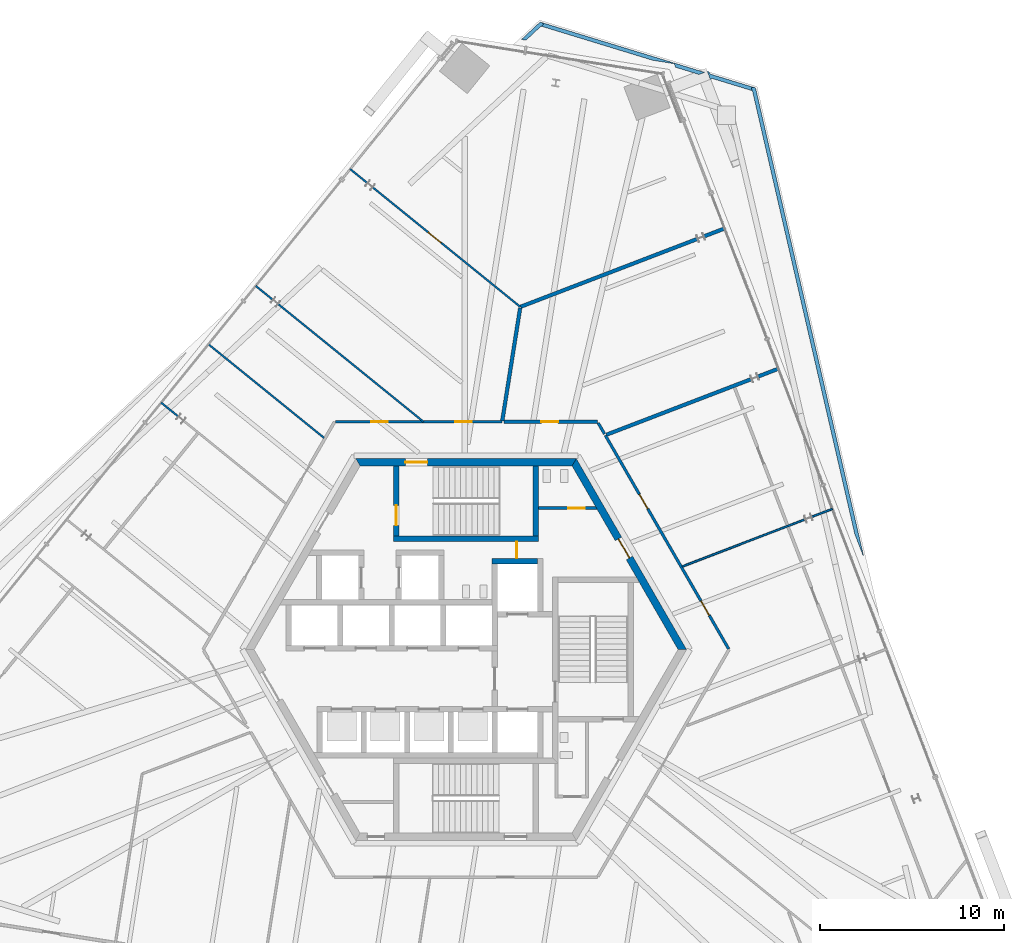
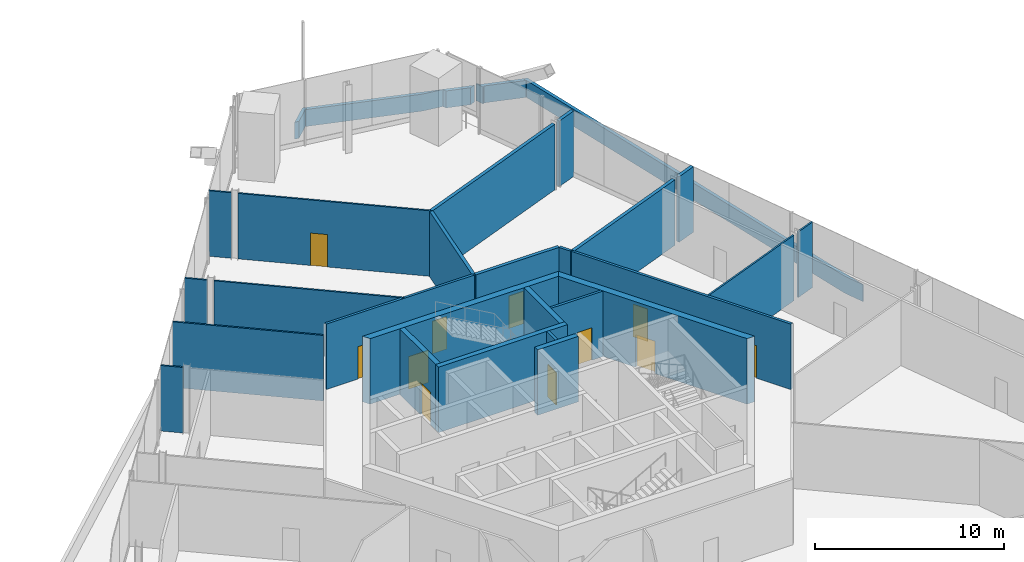
# One storey, part 16 of 22: 29 walls, 11 doors, 11 openings.
"""IFC4 building model written with IfcOpenShell, lengths in metres."""

import ifcopenshell
import ifcopenshell.guid

model = None  # the IFC model being written
_history = None  # IfcOwnerHistory: only IFC2X3 demands one
_inside = {}  # id of a spatial element -> (the spatial element, [elements in it])
_under = {}  # id of a project, library or spatial element -> (it, [spatial elements below it])
_declared = {}  # id of a project -> (the project, [libraries it declares])
_typed = {}  # id of a type object -> (the type object, [elements of that type])
_made_of = {}  # id of a material, layer set ... -> (it, [elements and type objects made of it])


def new_model(schema):
    """Start an empty IFC model of exactly this schema.

    Asked for "IFC4X3", IfcOpenShell would pick the latest addendum, in which some entities
    have other attributes; the version numbers below select the first issue.
    IFC2X3 requires an IfcOwnerHistory on every rooted entity: one is made here for all.
    """
    global model, _history
    if schema == "IFC4X3":
        model = ifcopenshell.file(schema_version=(4, 3, 0, 0))
    else:
        model = ifcopenshell.file(schema=schema)
    _inside.clear()
    _under.clear()
    _declared.clear()
    _typed.clear()
    _made_of.clear()
    _history = None
    if model.schema == "IFC2X3":
        org = make("IfcOrganization", Name="unknown")
        user = make(
            "IfcPersonAndOrganization",
            ThePerson=make("IfcPerson", FamilyName="unknown"),
            TheOrganization=org,
        )
        app = make(
            "IfcApplication",
            ApplicationDeveloper=org,
            Version="unknown",
            ApplicationFullName="unknown",
            ApplicationIdentifier="unknown",
        )
        _history = make(
            "IfcOwnerHistory",
            OwningUser=user,
            OwningApplication=app,
            ChangeAction="ADDED",
            CreationDate=0,
        )
    return model


def make(cls, **values):
    """One entity of the class cls with the attributes given. An attribute that is None is left unset."""
    return model.create_entity(
        cls, **{name: value for name, value in values.items() if value is not None}
    )


def rooted(cls, **values):
    """An entity with a GlobalId (a new one), such as an element, a storey or a relation."""
    return make(cls, GlobalId=ifcopenshell.guid.new(), OwnerHistory=_history, **values)


def si_unit(unit_type, name, prefix=None):
    """IfcSIUnit, for example si_unit("LENGTHUNIT", "METRE", prefix="MILLI")."""
    return make("IfcSIUnit", UnitType=unit_type, Prefix=prefix, Name=name)


def assignment(units):
    """IfcUnitAssignment: the units of a project."""
    return None if units is None else make("IfcUnitAssignment", Units=units)


def point(xyz):
    """IfcCartesianPoint."""
    return None if xyz is None else make("IfcCartesianPoint", Coordinates=xyz)


def direction(xyz):
    """IfcDirection."""
    return None if xyz is None else make("IfcDirection", DirectionRatios=xyz)


def frame(location, z_axis=None, x_axis=None):
    """IfcAxis2Placement3D, a coordinate frame: its origin and axes. An axis left out is left unset."""
    return make(
        "IfcAxis2Placement3D",
        Location=point(location),
        Axis=direction(z_axis),
        RefDirection=direction(x_axis),
    )


def frame_2d(location, x_axis=None):
    """IfcAxis2Placement2D, a coordinate frame in the plane: its origin and x axis."""
    return make(
        "IfcAxis2Placement2D", Location=point(location), RefDirection=direction(x_axis)
    )


def origin():
    """The frame at (0, 0, 0) with its axes left unset."""
    return frame((0.0, 0.0, 0.0))


def place(relative_to, where):
    """IfcLocalPlacement: puts the frame where relative to a parent placement (None: the world)."""
    return make(
        "IfcLocalPlacement", PlacementRelTo=relative_to, RelativePlacement=where
    )


def context(
    kind, dimensions, precision=None, world=None, true_north=None, identifier=None
):
    """IfcGeometricRepresentationContext, for example the 3D "Model" context."""
    return make(
        "IfcGeometricRepresentationContext",
        ContextIdentifier=identifier,
        ContextType=kind,
        CoordinateSpaceDimension=dimensions,
        Precision=precision,
        WorldCoordinateSystem=world,
        TrueNorth=true_north,
    )


def subcontext(parent, identifier, kind, view, scale=None):
    """IfcGeometricRepresentationSubContext, for example "Body" below "Model"."""
    return make(
        "IfcGeometricRepresentationSubContext",
        ContextIdentifier=identifier,
        ContextType=kind,
        ParentContext=parent,
        TargetScale=scale,
        TargetView=view,
    )


def project(units=None, contexts=None):
    """IfcProject with its units and contexts."""
    return rooted(
        "IfcProject",
        Name="project",
        RepresentationContexts=contexts,
        UnitsInContext=assignment(units),
    )


def spatial(cls, under=None, at=None, **own):
    """A site, building, storey or space (cls), placed at a placement, below another one or the project."""
    s = rooted(cls, ObjectPlacement=at, **own)
    if under is not None:
        _under.setdefault(under.id(), (under, []))[1].append(s)
    return s


def polyline(points):
    """IfcPolyline through the points."""
    return make("IfcPolyline", Points=[point(p) for p in points])


def profile(cls, at=None, kind="AREA", **sizes):
    """A parametric profile (cls). Its sizes go by their IFC names, for example OverallWidth=200.0."""
    return make(cls, ProfileType=kind, Position=at, **sizes)


def rectangle(**sizes):
    """IfcRectangleProfileDef."""
    return profile("IfcRectangleProfileDef", **sizes)


def outline(outer, holes=None, kind="AREA"):
    """IfcArbitraryClosedProfileDef: a profile drawn as a closed curve; with holes, ...WithVoids."""
    if holes is None:
        return make("IfcArbitraryClosedProfileDef", ProfileType=kind, OuterCurve=outer)
    return make(
        "IfcArbitraryProfileDefWithVoids",
        ProfileType=kind,
        OuterCurve=outer,
        InnerCurves=holes,
    )


def extrude(swept, where, along, depth):
    """IfcExtrudedAreaSolid: the profile swept, set in the frame where, extruded along a direction by depth."""
    return make(
        "IfcExtrudedAreaSolid",
        SweptArea=swept,
        Position=where,
        ExtrudedDirection=direction(along),
        Depth=depth,
    )


def shape(context_of_items, identifier, shape_type, items):
    """IfcShapeRepresentation: the items that make up one representation, for example the "Body"."""
    return make(
        "IfcShapeRepresentation",
        ContextOfItems=context_of_items,
        RepresentationIdentifier=identifier,
        RepresentationType=shape_type,
        Items=items,
    )


def source(mapping_origin, context_of_items, identifier, shape_type, items):
    """IfcRepresentationMap: a shape defined once, which mapped items show again and again."""
    return make(
        "IfcRepresentationMap",
        MappingOrigin=mapping_origin,
        MappedRepresentation=shape(context_of_items, identifier, shape_type, items),
    )


def transform(
    local_origin,
    x_axis=None,
    y_axis=None,
    z_axis=None,
    scale=None,
    scale2=None,
    scale3=None,
    uniform=True,
):
    """IfcCartesianTransformationOperator3D, or its non-uniform kind. x_axis, y_axis, z_axis: its Axis1, 2, 3."""
    if uniform:
        return make(
            "IfcCartesianTransformationOperator3D",
            Axis1=direction(x_axis),
            Axis2=direction(y_axis),
            LocalOrigin=point(local_origin),
            Scale=scale,
            Axis3=direction(z_axis),
        )
    return make(
        "IfcCartesianTransformationOperator3DnonUniform",
        Axis1=direction(x_axis),
        Axis2=direction(y_axis),
        LocalOrigin=point(local_origin),
        Scale=scale,
        Axis3=direction(z_axis),
        Scale2=scale2,
        Scale3=scale3,
    )


def mapped(mapping_source, mapping_target):
    """IfcMappedItem: shows the shape of a source again, moved by a transform."""
    return make(
        "IfcMappedItem", MappingSource=mapping_source, MappingTarget=mapping_target
    )


def material(Name=None, Category=None):
    """IfcMaterial."""
    return make("IfcMaterial", Name=Name, Category=Category)


def layer(
    of_material, thickness, ventilated=None, Name=None, Category=None, Priority=None
):
    """IfcMaterialLayer: one layer of a wall or slab, of a material (None: an air gap)."""
    return make(
        "IfcMaterialLayer",
        Material=of_material,
        LayerThickness=thickness,
        IsVentilated=ventilated,
        Name=Name,
        Category=Category,
        Priority=Priority,
    )


def layer_set(layers, Name=None):
    """IfcMaterialLayerSet."""
    return make("IfcMaterialLayerSet", MaterialLayers=layers, LayerSetName=Name)


def made_of(thing, what):
    """Note that an element or type object is made of a material, layer set ...; save() writes the relation."""
    if what is not None:
        _made_of.setdefault(what.id(), (what, []))[1].append(thing)
    return thing


def type_object(cls, material=None, **own):
    """A type object (cls), such as IfcWallType, which elements share."""
    return made_of(rooted(cls, **own), material)


def element(
    cls,
    number,
    at=None,
    inside=None,
    cuts=None,
    type_object=None,
    material=None,
    context=None,
    identifier="Body",
    shape_type=None,
    held_by="IfcProductDefinitionShape",
    body=None,
    shapes=None,
    **own,
):
    """One element of the class cls, such as IfcWall. Its Tag is "e" and its number.

    at: its placement. inside: the storey or other place that contains it. cuts: it is an
    opening in that element (IfcRelVoidsElement). A single representation is given by context,
    identifier, shape_type and body (its items); several are given by shapes. held_by: the class
    of the entity that holds the representations. save() writes the other relations.
    """
    e = rooted(cls, Tag="e%d" % number, ObjectPlacement=at, **own)
    if body is not None:
        shapes = [shape(context, identifier, shape_type, body)]
    if shapes is not None:
        e.Representation = make(held_by, Representations=shapes)
    if inside is not None:
        _inside.setdefault(inside.id(), (inside, []))[1].append(e)
    if cuts is not None:
        rooted(
            "IfcRelVoidsElement", RelatingBuildingElement=cuts, RelatedOpeningElement=e
        )
    if type_object is not None:
        _typed.setdefault(type_object.id(), (type_object, []))[1].append(e)
    return made_of(e, material)


def fill(opening, filler):
    """IfcRelFillsElement: the door or window that sits in an opening."""
    return rooted(
        "IfcRelFillsElement",
        RelatingOpeningElement=opening,
        RelatedBuildingElement=filler,
    )


def aggregate(whole, parts):
    """IfcRelAggregates: a whole, such as a stair, and the parts it consists of."""
    return rooted("IfcRelAggregates", RelatingObject=whole, RelatedObjects=parts)


def save(model, path):
    """Write the relations noted so far, then the file.

    IfcRelAggregates (storeys below a building ...), IfcRelContainedInSpatialStructure (elements
    in a storey), IfcRelDefinesByType, IfcRelAssociatesMaterial and IfcRelDeclares: one each for
    every whole, place, type object, material and project.
    """
    for whole, parts in _under.values():
        aggregate(whole, parts)
    for where, things in _inside.values():
        rooted(
            "IfcRelContainedInSpatialStructure",
            RelatedElements=things,
            RelatingStructure=where,
        )
    for kind, things in _typed.values():
        rooted("IfcRelDefinesByType", RelatedObjects=things, RelatingType=kind)
    for what, things in _made_of.values():
        rooted("IfcRelAssociatesMaterial", RelatedObjects=things, RelatingMaterial=what)
    for by, libraries in _declared.values():
        rooted("IfcRelDeclares", RelatingContext=by, RelatedDefinitions=libraries)
    model.write(path)


model = new_model("IFC4")

# Units and contexts
model_context = context("Model", 3, precision=1e-05, world=origin(), true_north=direction((0.0, 1.0)))
body_context = subcontext(model_context, "Body", "Model", "MODEL_VIEW")
ifc_project = project(units=[si_unit("LENGTHUNIT", "METRE"), si_unit("AREAUNIT", "SQUARE_METRE"), si_unit("VOLUMEUNIT", "CUBIC_METRE"), si_unit("PLANEANGLEUNIT", "RADIAN"), si_unit("MASSUNIT", "GRAM", prefix="KILO")], contexts=[model_context])

# Site, building, storey
site_placement = place(None, origin())
site = spatial("IfcSite", under=ifc_project, at=site_placement, CompositionType="ELEMENT")
building_placement = place(site_placement, origin())
building = spatial("IfcBuilding", under=site, at=building_placement, Name="Triune Harvest Tower", CompositionType="ELEMENT")
storey_placement = place(building_placement, frame((0.0, 0.0, 138.10009765625)))
storey = spatial("IfcBuildingStorey", under=building, at=storey_placement, Name="L35", CompositionType="ELEMENT", Elevation=138.10009765625)

# Wall, opening, door
ifc_material_1 = material(Name="Concrete masonry unit", Category="masonry")
ifc_layer_1 = layer(ifc_material_1, 0.14990234375)
ifc_layer_set_1 = layer_set([ifc_layer_1], Name="Concrete masonry unit")
wall_type_1 = type_object("IfcWallType", Name="Block partition 150 unrated", PredefinedType="PARTITIONING", material=ifc_layer_set_1)
wall_1_placement = place(storey_placement, frame((3.949951171875, 7.699951171875, 0.0), z_axis=(0.0, 0.0, 1.0), x_axis=(1.0, 0.0, 0.0)))
wall_1 = element("IfcWall", 1, at=wall_1_placement, inside=storey, type_object=wall_type_1, Name="Wc women south wall", PredefinedType="PARTITIONING", context=body_context, shape_type="SweptSolid", body=[
    extrude(outline(polyline([(0.0, -0.074951171875), (0.0, 0.074951171875), (3.1015625, 0.074951171875), (3.18798828125, -0.074951171875), (0.0, -0.074951171875)])), origin(), (0.0, 0.0, 1.0), 4.239990234375),
])
opening_1_placement = place(wall_1_placement, frame((1.60009765625, 0.0, 0.0)))
opening_1 = element("IfcOpeningElement", 2, at=opening_1_placement, cuts=wall_1, Name="Opening CD-WW", PredefinedType="OPENING", context=body_context, shape_type="SweptSolid", body=[
    extrude(rectangle(XDim=0.89990234375, YDim=2.10009765625, at=frame_2d((0.449951171875, 1.050048828125))), frame((0.0, 0.0849609375, 0.0), z_axis=(0.0, -1.0, 0.0), x_axis=(1.0, 0.0, 0.0)), (0.0, 0.0, 1.0), 0.169921875),
])
ifc_material_2 = material(Name="Timber C24", Category="wood")
door_type_1 = type_object("IfcDoorType", Name="WC door 900", OperationType="SINGLE_SWING_LEFT", PredefinedType="DOOR", material=ifc_material_2)
door_1_placement = place(opening_1_placement, origin())
door_1 = element("IfcDoor", 3, at=door_1_placement, inside=storey, type_object=door_type_1, Name="Door CD-WW", OperationType="SINGLE_SWING_LEFT", OverallHeight=2.10009765625, OverallWidth=0.89990234375, PredefinedType="DOOR", context=body_context, shape_type="SweptSolid", body=[
    extrude(rectangle(XDim=0.89990234375, YDim=2.10009765625, at=frame_2d((0.449951171875, 1.050048828125))), frame((0.0, 0.02490234375, 0.0), z_axis=(0.0, -1.0, 0.0), x_axis=(1.0, 0.0, 0.0)), (0.0, 0.0, 1.0), 0.050048828125),
])
fill(opening_1, door_1)

wall_2_placement = place(storey_placement, frame((2.75, 4.9599609375, 0.0), z_axis=(0.0, 0.0, 1.0), x_axis=(0.0, 1.0, 0.0)))
wall_2 = element("IfcWall", 4, at=wall_2_placement, inside=storey, type_object=wall_type_1, Name="Wc men east b wall", PredefinedType="PARTITIONING", context=body_context, shape_type="SweptSolid", body=[
    extrude(rectangle(XDim=0.929931640625, YDim=0.14990234375, at=frame_2d((0.46484375, 0.0))), origin(), (0.0, 0.0, 1.0), 4.239990234375),
])
opening_2_placement = place(wall_2_placement, frame((0.014892578125, 0.0, 0.0)))
opening_2 = element("IfcOpeningElement", 5, at=opening_2_placement, cuts=wall_2, Name="Opening CD-WM", PredefinedType="OPENING", context=body_context, shape_type="SweptSolid", body=[
    extrude(rectangle(XDim=0.89990234375, YDim=2.10009765625, at=frame_2d((0.449951171875, 1.050048828125))), frame((0.0, 0.0849609375, 0.0), z_axis=(0.0, -1.0, 0.0), x_axis=(1.0, 0.0, 0.0)), (0.0, 0.0, 1.0), 0.169921875),
])
door_2_placement = place(opening_2_placement, origin())
door_2 = element("IfcDoor", 6, at=door_2_placement, inside=storey, type_object=door_type_1, Name="Door CD-WM", OperationType="SINGLE_SWING_LEFT", OverallHeight=2.10009765625, OverallWidth=0.89990234375, PredefinedType="DOOR", context=body_context, shape_type="SweptSolid", body=[
    extrude(rectangle(XDim=0.89990234375, YDim=2.10009765625, at=frame_2d((0.449951171875, 1.050048828125))), frame((0.0, 0.02490234375, 0.0), z_axis=(0.0, -1.0, 0.0), x_axis=(1.0, 0.0, 0.0)), (0.0, 0.0, 1.0), 0.050048828125),
])
fill(opening_2, door_2)

# Walls
ifc_material_3 = material(Name="Concrete 70 MPa", Category="concrete")
ifc_layer_2 = layer(ifc_material_3, 0.300048828125)
ifc_layer_set_2 = layer_set([ifc_layer_2], Name="Concrete 70 MPa")
wall_type_2 = type_object("IfcWallType", Name="Core wall 300", PredefinedType="SHEAR", material=ifc_layer_set_2)
wall_3_placement = place(storey_placement, frame((-3.949951171875, 6.0400390625, 0.0), z_axis=(0.0, 0.0, 1.0), x_axis=(1.0, 0.0, 0.0)))
element("IfcWall", 7, at=wall_3_placement, inside=storey, type_object=wall_type_2, Name="Stair n south wall", PredefinedType="SHEAR", context=body_context, shape_type="SweptSolid", body=[
    extrude(rectangle(XDim=7.89990234375, YDim=0.300048828125, at=frame_2d((3.949951171875, 0.0))), origin(), (0.0, 0.0, 1.0), 4.239990234375),
])
ifc_material_4 = material(Name="Gypsum board on steel studs", Category="steel")
ifc_layer_3 = layer(ifc_material_4, 0.14990234375)
ifc_layer_set_3 = layer_set([ifc_layer_3], Name="Gypsum board on steel studs")
wall_type_3 = type_object("IfcWallType", Name="Fire Partition 150 mm", PredefinedType="PARTITIONING", material=ifc_layer_set_3)
wall_4_placement = place(storey_placement, frame((7.18994140625, 12.331298828125, 0.0), z_axis=(0.0, 0.0, 1.0), x_axis=(0.499925626596, -0.866068339032, 0.0)))
element("IfcWall", 8, at=wall_4_placement, inside=storey, type_object=wall_type_3, Name="Partition L35 007", PredefinedType="PARTITIONING", context=body_context, shape_type="SweptSolid", body=[
    extrude(rectangle(XDim=0.693359375, YDim=0.14990234375, at=frame_2d((0.3466796875, 0.0))), origin(), (0.0, 0.0, 1.0), 4.239990234375),
])

# Wall, openings, doors
wall_5_placement = place(storey_placement, frame((7.57666015625, 11.66162109375, 0.0), z_axis=(0.0, 0.0, 1.0), x_axis=(0.50001156732, -0.866018725286, 0.0)))
wall_5 = element("IfcWall", 9, at=wall_5_placement, inside=storey, type_object=wall_type_3, Name="Partition L35 008", PredefinedType="PARTITIONING", context=body_context, shape_type="SweptSolid", body=[
    extrude(rectangle(XDim=13.425537109375, YDim=0.14990234375, at=frame_2d((6.712890625, 0.0))), origin(), (0.0, 0.0, 1.0), 4.239990234375),
])
opening_3_placement = place(wall_5_placement, frame((10.41552734375, 0.0, 0.0)))
opening_3 = element("IfcOpeningElement", 10, at=opening_3_placement, cuts=wall_5, Name="Opening L35-004", PredefinedType="OPENING", context=body_context, shape_type="SweptSolid", body=[
    extrude(rectangle(XDim=0.89990234375, YDim=2.10009765625, at=frame_2d((0.449951171875, 1.050048828125))), frame((0.0, 0.0849609375, 0.0), z_axis=(0.0, -1.0, 0.0), x_axis=(1.0, 0.0, 0.0)), (0.0, 0.0, 1.0), 0.169921875),
])
opening_4_placement = place(wall_5_placement, frame((3.723388671875, 0.0, 0.0)))
opening_4 = element("IfcOpeningElement", 11, at=opening_4_placement, cuts=wall_5, Name="Opening L35-006", PredefinedType="OPENING", context=body_context, shape_type="SweptSolid", body=[
    extrude(rectangle(XDim=0.89990234375, YDim=2.10009765625, at=frame_2d((0.449951171875, 1.050048828125))), frame((0.0, 0.0849609375, 0.0), z_axis=(0.0, -1.0, 0.0), x_axis=(1.0, 0.0, 0.0)), (0.0, 0.0, 1.0), 0.169921875),
])
ifc_material_5 = material(Name="Timber and steel door set", Category="steel")
door_type_2 = type_object("IfcDoorType", Name="Single leaf door FD30 left hand 900 x 2100", OperationType="SINGLE_SWING_LEFT", PredefinedType="DOOR", material=ifc_material_5)
door_3_placement = place(opening_4_placement, origin())
door_3 = element("IfcDoor", 12, at=door_3_placement, inside=storey, type_object=door_type_2, Name="Door L35-006 Market Stall 35.06", OperationType="SINGLE_SWING_LEFT", OverallHeight=2.10009765625, OverallWidth=0.89990234375, PredefinedType="DOOR", context=body_context, shape_type="SweptSolid", body=[
    extrude(rectangle(XDim=0.89990234375, YDim=2.10009765625, at=frame_2d((0.449951171875, 1.050048828125))), frame((0.0, 0.02490234375, 0.0), z_axis=(0.0, -1.0, 0.0), x_axis=(1.0, 0.0, 0.0)), (0.0, 0.0, 1.0), 0.050048828125),
])
fill(opening_4, door_3)
ifc_material_6 = material(Name="Timber and steel door set", Category="steel")
door_type_3 = type_object("IfcDoorType", Name="Single leaf door FD30 right hand 900 x 2100", OperationType="SINGLE_SWING_RIGHT", PredefinedType="DOOR", material=ifc_material_6)
door_4_placement = place(opening_3_placement, origin())
door_4 = element("IfcDoor", 13, at=door_4_placement, inside=storey, type_object=door_type_3, Name="Door L35-004 Cafe 35.04", OperationType="SINGLE_SWING_RIGHT", OverallHeight=2.10009765625, OverallWidth=0.89990234375, PredefinedType="DOOR", context=body_context, shape_type="SweptSolid", body=[
    extrude(rectangle(XDim=0.89990234375, YDim=2.10009765625, at=frame_2d((0.449951171875, 1.050048828125))), frame((0.0, 0.02490234375, 0.0), z_axis=(0.0, -1.0, 0.0), x_axis=(1.0, 0.0, 0.0)), (0.0, 0.0, 1.0), 0.050048828125),
])
fill(opening_3, door_4)

wall_6_placement = place(storey_placement, frame((-7.104736328125, 12.392333984375, 0.0), z_axis=(0.0, 0.0, 1.0), x_axis=(1.0, 0.0, 0.0)))
wall_6 = element("IfcWall", 14, at=wall_6_placement, inside=storey, type_object=wall_type_3, Name="Partition L35 023", PredefinedType="PARTITIONING", context=body_context, shape_type="SweptSolid", body=[
    extrude(rectangle(XDim=9.064453125, YDim=0.14990234375, at=frame_2d((4.5322265625, 0.0))), origin(), (0.0, 0.0, 1.0), 4.239990234375),
])
opening_5_placement = place(wall_6_placement, frame((6.517333984375, 0.0, 0.0)))
opening_5 = element("IfcOpeningElement", 15, at=opening_5_placement, cuts=wall_6, Name="Opening L35-010", PredefinedType="OPENING", context=body_context, shape_type="SweptSolid", body=[
    extrude(rectangle(XDim=0.89990234375, YDim=2.10009765625, at=frame_2d((0.449951171875, 1.050048828125))), frame((0.0, 0.0849609375, 0.0), z_axis=(0.0, -1.0, 0.0), x_axis=(1.0, 0.0, 0.0)), (0.0, 0.0, 1.0), 0.169921875),
])
opening_6_placement = place(wall_6_placement, frame((1.941650390625, 0.0, 0.0)))
opening_6 = element("IfcOpeningElement", 16, at=opening_6_placement, cuts=wall_6, Name="Opening L35-012", PredefinedType="OPENING", context=body_context, shape_type="SweptSolid", body=[
    extrude(rectangle(XDim=0.89990234375, YDim=2.10009765625, at=frame_2d((0.449951171875, 1.050048828125))), frame((0.0, 0.0849609375, 0.0), z_axis=(0.0, -1.0, 0.0), x_axis=(1.0, 0.0, 0.0)), (0.0, 0.0, 1.0), 0.169921875),
])
door_5_placement = place(opening_6_placement, origin())
door_5 = element("IfcDoor", 17, at=door_5_placement, inside=storey, type_object=door_type_2, Name="Door L35-012 Pantry 35.12", OperationType="SINGLE_SWING_LEFT", OverallHeight=2.10009765625, OverallWidth=0.89990234375, PredefinedType="DOOR", context=body_context, shape_type="SweptSolid", body=[
    extrude(rectangle(XDim=0.89990234375, YDim=2.10009765625, at=frame_2d((0.449951171875, 1.050048828125))), frame((0.0, 0.02490234375, 0.0), z_axis=(0.0, -1.0, 0.0), x_axis=(1.0, 0.0, 0.0)), (0.0, 0.0, 1.0), 0.050048828125),
])
fill(opening_6, door_5)
door_6_placement = place(opening_5_placement, origin())
door_6 = element("IfcDoor", 18, at=door_6_placement, inside=storey, type_object=door_type_3, Name="Door L35-010 Office 35.10", OperationType="SINGLE_SWING_RIGHT", OverallHeight=2.10009765625, OverallWidth=0.89990234375, PredefinedType="DOOR", context=body_context, shape_type="SweptSolid", body=[
    extrude(rectangle(XDim=0.89990234375, YDim=2.10009765625, at=frame_2d((0.449951171875, 1.050048828125))), frame((0.0, 0.02490234375, 0.0), z_axis=(0.0, -1.0, 0.0), x_axis=(1.0, 0.0, 0.0)), (0.0, 0.0, 1.0), 0.050048828125),
])
fill(opening_5, door_6)

# Wall, opening, door
ifc_material_7 = material(Name="Gypsum board on steel studs", Category="steel")
ifc_layer_4 = layer(ifc_material_7, 0.199951171875)
ifc_layer_set_4 = layer_set([ifc_layer_4], Name="Gypsum board on steel studs")
wall_type_4 = type_object("IfcWallType", Name="Fire Wall 200 mm", PredefinedType="PARTITIONING", material=ifc_layer_set_4)
wall_7_placement = place(storey_placement, frame((2.059814453125, 12.392333984375, 0.0), z_axis=(0.0, 0.0, 1.0), x_axis=(1.0, 0.0, 0.0)))
wall_7 = element("IfcWall", 19, at=wall_7_placement, inside=storey, type_object=wall_type_4, Name="Partition L35 024", PredefinedType="PARTITIONING", context=body_context, shape_type="SweptSolid", body=[
    extrude(rectangle(XDim=5.094970703125, YDim=0.199951171875, at=frame_2d((2.54736328125, 0.0))), origin(), (0.0, 0.0, 1.0), 4.239990234375),
])
opening_7_placement = place(wall_7_placement, frame((2.044921875, 0.0, 0.0)))
opening_7 = element("IfcOpeningElement", 20, at=opening_7_placement, cuts=wall_7, Name="Opening L35-008", PredefinedType="OPENING", context=body_context, shape_type="SweptSolid", body=[
    extrude(rectangle(XDim=0.89990234375, YDim=2.10009765625, at=frame_2d((0.449951171875, 1.050048828125))), frame((0.0, 0.10986328125, 0.0), z_axis=(0.0, -1.0, 0.0), x_axis=(1.0, 0.0, 0.0)), (0.0, 0.0, 1.0), 0.219970703125),
])
ifc_material_8 = material(Name="Timber and steel door set", Category="steel")
door_type_4 = type_object("IfcDoorType", Name="Single leaf door FD60 left hand 900 x 2100", OperationType="SINGLE_SWING_LEFT", PredefinedType="DOOR", material=ifc_material_8)
door_7_placement = place(opening_7_placement, origin())
door_7 = element("IfcDoor", 21, at=door_7_placement, inside=storey, type_object=door_type_4, Name="Door L35-008 Kitchen 35.08", OperationType="SINGLE_SWING_LEFT", OverallHeight=2.10009765625, OverallWidth=0.89990234375, PredefinedType="DOOR", context=body_context, shape_type="SweptSolid", body=[
    extrude(rectangle(XDim=0.89990234375, YDim=2.10009765625, at=frame_2d((0.449951171875, 1.050048828125))), frame((0.0, 0.02490234375, 0.0), z_axis=(0.0, -1.0, 0.0), x_axis=(1.0, 0.0, 0.0)), (0.0, 0.0, 1.0), 0.050048828125),
])
fill(opening_7, door_7)

# Walls
wall_8_placement = place(storey_placement, frame((7.640380859375, 11.689697265625, 0.0), z_axis=(0.0, 0.0, 1.0), x_axis=(0.933589998049, 0.358343013805, 0.0)))
element("IfcWall", 22, at=wall_8_placement, inside=storey, type_object=wall_type_4, Name="Partition L35 030", PredefinedType="PARTITIONING", context=body_context, shape_type="SweptSolid", body=[
    extrude(rectangle(XDim=8.463134765625, YDim=0.199951171875, at=frame_2d((4.2314453125, 0.0))), origin(), (0.0, 0.0, 1.0), 4.239990234375),
])
wall_9_placement = place(storey_placement, frame((2.97216796875, 18.654296875, 0.0), z_axis=(0.0, 0.0, 1.0), x_axis=(0.933584283364, 0.358357901901, 0.0)))
element("IfcWall", 23, at=wall_9_placement, inside=storey, type_object=wall_type_4, Name="Partition L35 032", PredefinedType="PARTITIONING", context=body_context, shape_type="SweptSolid", body=[
    extrude(rectangle(XDim=10.325439453125, YDim=0.199951171875, at=frame_2d((5.16259765625, 0.0))), origin(), (0.0, 0.0, 1.0), 4.239990234375),
])
wall_10_placement = place(storey_placement, frame((1.970458984375, 12.441650390625, 0.0), z_axis=(0.0, 0.0, 1.0), x_axis=(0.156466236288, 0.987683308, 0.0)))
element("IfcWall", 24, at=wall_10_placement, inside=storey, type_object=wall_type_4, Name="Partition L35 042", PredefinedType="PARTITIONING", context=body_context, shape_type="SweptSolid", body=[
    extrude(rectangle(XDim=6.22265625, YDim=0.199951171875, at=frame_2d((3.111328125, 0.0))), origin(), (0.0, 0.0, 1.0), 4.239990234375),
])
ifc_material_9 = material(Name="Concrete 40 MPa", Category="concrete")
ifc_layer_5 = layer(ifc_material_9, 0.199951171875)
ifc_layer_set_5 = layer_set([ifc_layer_5], Name="Concrete 40 MPa")
wall_type_5 = type_object("IfcWallType", Name="PA-1 parapet 200", PredefinedType="PARAPET", material=ifc_layer_set_5)
wall_11_placement = place(storey_placement, origin())
element("IfcWall", 25, at=wall_11_placement, inside=storey, type_object=wall_type_5, Name="Parapet wedge L34 1.1", PredefinedType="PARAPET", context=body_context, shape_type="SweptSolid", body=[
    extrude(outline(polyline([(4.1044921875, 33.91455078125), (4.08251953125, 33.92138671875), (3.2626953125, 33.15673828125), (3.011962890625, 33.196533203125), (4.030517578125, 34.146240234375), (4.14111328125, 34.112548828125), (4.222900390625, 34.024658203125), (4.1044921875, 33.91455078125)])), origin(), (0.0, 0.0, 1.0), 1.099853515625),
])
wall_12_placement = place(storey_placement, origin())
element("IfcWall", 26, at=wall_12_placement, inside=storey, type_object=wall_type_5, Name="Parapet wedge L34 1.2", PredefinedType="PARAPET", context=body_context, shape_type="SweptSolid", body=[
    extrude(outline(polyline([(21.62451171875, 5.1298828125), (21.599609375, 5.122314453125), (21.151611328125, 6.289306640625), (15.583984375, 30.405029296875), (15.56201171875, 30.411865234375), (15.525634765625, 30.5693359375), (15.642578125, 30.596435546875), (15.7529296875, 30.5625), (21.62451171875, 5.1298828125)])), origin(), (0.0, 0.0, 1.0), 1.099853515625),
])
wall_13_placement = place(storey_placement, origin())
element("IfcWall", 27, at=wall_13_placement, inside=storey, type_object=wall_type_5, Name="Parapet wedge L34 1.3", PredefinedType="PARAPET", context=body_context, shape_type="SweptSolid", body=[
    extrude(outline(polyline([(4.1044921875, 33.91455078125), (4.222900390625, 34.024658203125), (4.14111328125, 34.112548828125), (12.98193359375, 31.409912109375), (12.6787109375, 31.293212890625), (11.40380859375, 31.68310546875), (11.32861328125, 31.87939453125), (10.15283203125, 32.0654296875), (4.1044921875, 33.91455078125)])), origin(), (0.0, 0.0, 1.0), 1.099853515625),
])
wall_14_placement = place(storey_placement, origin())
element("IfcWall", 28, at=wall_14_placement, inside=storey, type_object=wall_type_5, Name="Parapet wedge L34 1.4", PredefinedType="PARAPET", context=body_context, shape_type="SweptSolid", body=[
    extrude(outline(polyline([(15.525634765625, 30.5693359375), (15.56201171875, 30.411865234375), (13.3583984375, 31.085693359375), (13.370361328125, 31.05419921875), (13.295166015625, 31.025390625), (13.1240234375, 31.470703125), (13.221923828125, 31.44091796875), (13.267333984375, 31.322509765625), (15.642578125, 30.596435546875), (15.525634765625, 30.5693359375)])), origin(), (0.0, 0.0, 1.0), 1.099853515625),
])
ifc_material_10 = material(Name="Gypsum board on steel studs", Category="steel")
ifc_layer_6 = layer(ifc_material_10, 0.10009765625)
ifc_layer_set_6 = layer_set([ifc_layer_6], Name="Gypsum board on steel studs")
wall_type_6 = type_object("IfcWallType", Name="Partition 100 mm", PredefinedType="PARTITIONING", material=ifc_layer_set_6)
wall_15_placement = place(storey_placement, frame((-14.020263671875, 16.613037109375, 0.0), z_axis=(0.0, 0.0, 1.0), x_axis=(0.777139529996, -0.62932833316, 0.0)))
element("IfcWall", 29, at=wall_15_placement, inside=storey, type_object=wall_type_6, Name="Partition L35 016", PredefinedType="PARTITIONING", context=body_context, shape_type="SweptSolid", body=[
    extrude(rectangle(XDim=8.0966796875, YDim=0.10009765625, at=frame_2d((4.04833984375, 0.0))), origin(), (0.0, 0.0, 1.0), 4.239990234375),
])

# Wall, opening, door
ifc_material_11 = material(Name="Concrete 70 MPa", Category="concrete")
ifc_layer_7 = layer(ifc_material_11, 0.39990234375)
ifc_layer_set_7 = layer_set([ifc_layer_7], Name="Concrete 70 MPa")
wall_type_7 = type_object("IfcWallType", Name="Core wall 400", PredefinedType="SHEAR", material=ifc_layer_set_7)
shared_shape_1 = source(origin(), body_context, "Body", "SweptSolid", [
    extrude(outline(polyline([(-0.115478515625, -0.199951171875), (11.884521484375, -0.199951171875), (11.653564453125, 0.199951171875), (0.115478515625, 0.199951171875), (-0.115478515625, -0.199951171875)])), origin(), (0.0, 0.0, 1.0), 4.239990234375),
])
wall_16_placement = place(storey_placement, frame((11.76904296875, 0.0, 0.0), z_axis=(0.0, 0.0, 1.0), x_axis=(-0.499996592174, 0.866027371285, 0.0)))
wall_16 = element("IfcWall", 30, at=wall_16_placement, inside=storey, type_object=wall_type_7, Name="Hexagon 0 wall", PredefinedType="SHEAR", context=body_context, shape_type="MappedRepresentation", body=[
    mapped(shared_shape_1, transform((0.0, 0.0, 0.0), scale=1.0)),
])
opening_8_placement = place(wall_16_placement, frame((5.75048828125, 0.0, 0.0)))
opening_8 = element("IfcOpeningElement", 31, at=opening_8_placement, cuts=wall_16, Name="Opening CD-WCP", PredefinedType="OPENING", context=body_context, shape_type="SweptSolid", body=[
    extrude(rectangle(XDim=1.199951171875, YDim=2.10009765625, at=frame_2d((0.60009765625, 1.050048828125))), frame((0.0, 0.2099609375, 0.0), z_axis=(0.0, -1.0, 0.0), x_axis=(1.0, 0.0, 0.0)), (0.0, 0.0, 1.0), 0.419921875),
])
ifc_material_12 = material(Name="Steel S235", Category="steel")
door_type_5 = type_object("IfcDoorType", Name="Lobby door 1200 FD120", OperationType="SINGLE_SWING_LEFT", PredefinedType="DOOR", material=ifc_material_12)
door_8_placement = place(opening_8_placement, frame((1.199951171875, 0.0, 0.0), z_axis=(0.0, 0.0, 1.0), x_axis=(-1.0, 0.0, 0.0)))
door_8 = element("IfcDoor", 32, at=door_8_placement, inside=storey, type_object=door_type_5, Name="Door CD-WCP", OperationType="SINGLE_SWING_RIGHT", OverallHeight=2.10009765625, OverallWidth=1.199951171875, PredefinedType="DOOR", context=body_context, shape_type="SweptSolid", body=[
    extrude(rectangle(XDim=1.199951171875, YDim=2.10009765625, at=frame_2d((0.60009765625, 1.050048828125))), frame((0.0, 0.02490234375, 0.0), z_axis=(0.0, -1.0, 0.0), x_axis=(1.0, 0.0, 0.0)), (0.0, 0.0, 1.0), 0.050048828125),
])
fill(opening_8, door_8)

wall_17_placement = place(storey_placement, frame((5.884521484375, 10.1923828125, 0.0), z_axis=(0.0, 0.0, 1.0), x_axis=(-1.0, 0.0, 0.0)))
wall_17 = element("IfcWall", 33, at=wall_17_placement, inside=storey, type_object=wall_type_7, Name="Hexagon 1 wall", PredefinedType="SHEAR", context=body_context, shape_type="MappedRepresentation", body=[
    mapped(shared_shape_1, transform((0.0, 0.0, 0.0), scale=1.0)),
])
opening_9_placement = place(wall_17_placement, frame((7.984619140625, 0.0, 0.0)))
opening_9 = element("IfcOpeningElement", 34, at=opening_9_placement, cuts=wall_17, Name="Opening CD-S1P", PredefinedType="OPENING", context=body_context, shape_type="SweptSolid", body=[
    extrude(rectangle(XDim=1.199951171875, YDim=2.10009765625, at=frame_2d((0.60009765625, 1.050048828125))), frame((0.0, 0.2099609375, 0.0), z_axis=(0.0, -1.0, 0.0), x_axis=(1.0, 0.0, 0.0)), (0.0, 0.0, 1.0), 0.419921875),
])
ifc_material_13 = material(Name="Steel S235", Category="steel")
door_type_6 = type_object("IfcDoorType", Name="Stair door 1200 FD120", OperationType="SINGLE_SWING_LEFT", PredefinedType="DOOR", material=ifc_material_13)
door_9_placement = place(opening_9_placement, frame((1.199951171875, 0.0, 0.0), z_axis=(0.0, 0.0, 1.0), x_axis=(-1.0, 0.0, 0.0)))
door_9 = element("IfcDoor", 35, at=door_9_placement, inside=storey, type_object=door_type_6, Name="Door CD-S1P", OperationType="SINGLE_SWING_RIGHT", OverallHeight=2.10009765625, OverallWidth=1.199951171875, PredefinedType="DOOR", context=body_context, shape_type="SweptSolid", body=[
    extrude(rectangle(XDim=1.199951171875, YDim=2.10009765625, at=frame_2d((0.60009765625, 1.050048828125))), frame((0.0, 0.02490234375, 0.0), z_axis=(0.0, -1.0, 0.0), x_axis=(1.0, 0.0, 0.0)), (0.0, 0.0, 1.0), 0.050048828125),
])
fill(opening_9, door_9)

# Wall
shared_shape_2 = source(origin(), body_context, "Body", "SweptSolid", [
    extrude(rectangle(XDim=2.5, YDim=0.300048828125, at=frame_2d((1.25, 0.0))), origin(), (0.0, 0.0, 1.0), 4.239990234375),
])
wall_18_placement = place(storey_placement, frame((1.39990234375, 4.81005859375, 0.0), z_axis=(0.0, 0.0, 1.0), x_axis=(1.0, 0.0, 0.0)))
element("IfcWall", 36, at=wall_18_placement, inside=storey, type_object=wall_type_2, Name="Ff1 back wall", PredefinedType="SHEAR", context=body_context, shape_type="MappedRepresentation", body=[
    mapped(shared_shape_2, transform((0.0, 0.0, 0.0), scale=1.0)),
])

# Wall, opening, door
shared_shape_3 = source(origin(), body_context, "Body", "SweptSolid", [
    extrude(outline(polyline([(0.0, -0.14990234375), (0.0, 0.14990234375), (3.80419921875, 0.14990234375), (3.80419921875, -0.14990234375), (0.0, -0.14990234375)])), origin(), (0.0, 0.0, 1.0), 4.239990234375),
])
wall_19_placement = place(storey_placement, frame((-3.800048828125, 6.18994140625, 0.0), z_axis=(0.0, 0.0, 1.0), x_axis=(0.0, 1.0, 0.0)))
wall_19 = element("IfcWall", 37, at=wall_19_placement, inside=storey, type_object=wall_type_2, Name="Stair n west wall", PredefinedType="SHEAR", context=body_context, shape_type="MappedRepresentation", body=[
    mapped(shared_shape_3, transform((0.0, 0.0, 0.0), scale=1.0)),
])
opening_10_placement = place(wall_19_placement, frame((0.56005859375, 0.0, 0.0)))
opening_10 = element("IfcOpeningElement", 38, at=opening_10_placement, cuts=wall_19, Name="Opening CD-S1L", PredefinedType="OPENING", context=body_context, shape_type="SweptSolid", body=[
    extrude(rectangle(XDim=1.10009765625, YDim=2.10009765625, at=frame_2d((0.550048828125, 1.050048828125))), frame((0.0, 0.16015625, 0.0), z_axis=(0.0, -1.0, 0.0), x_axis=(1.0, 0.0, 0.0)), (0.0, 0.0, 1.0), 0.320068359375),
])
ifc_material_14 = material(Name="Steel S235", Category="steel")
door_type_7 = type_object("IfcDoorType", Name="Stair door 1100 FD120", OperationType="SINGLE_SWING_LEFT", PredefinedType="DOOR", material=ifc_material_14)
door_10_placement = place(opening_10_placement, frame((1.10009765625, 0.0, 0.0), z_axis=(0.0, 0.0, 1.0), x_axis=(-1.0, 0.0, 0.0)))
door_10 = element("IfcDoor", 39, at=door_10_placement, inside=storey, type_object=door_type_7, Name="Door CD-S1L", OperationType="SINGLE_SWING_RIGHT", OverallHeight=2.10009765625, OverallWidth=1.10009765625, PredefinedType="DOOR", context=body_context, shape_type="SweptSolid", body=[
    extrude(rectangle(XDim=1.10009765625, YDim=2.10009765625, at=frame_2d((0.550048828125, 1.050048828125))), frame((0.0, 0.02490234375, 0.0), z_axis=(0.0, -1.0, 0.0), x_axis=(1.0, 0.0, 0.0)), (0.0, 0.0, 1.0), 0.050048828125),
])
fill(opening_10, door_10)

# Walls
wall_20_placement = place(storey_placement, frame((3.800048828125, 6.18994140625, 0.0), z_axis=(0.0, 0.0, 1.0), x_axis=(0.0, 1.0, 0.0)))
element("IfcWall", 40, at=wall_20_placement, inside=storey, type_object=wall_type_2, Name="Stair n east wall", PredefinedType="SHEAR", context=body_context, shape_type="MappedRepresentation", body=[
    mapped(shared_shape_3, transform((0.0, 0.0, 0.0), scale=1.0)),
])
shared_shape_4 = source(origin(), body_context, "Body", "SweptSolid", [
    extrude(rectangle(XDim=1.212158203125, YDim=0.10009765625, at=frame_2d((0.60595703125, 0.0))), origin(), (0.0, 0.0, 1.0), 4.239990234375),
])
for number, where, z_axis, x_axis, name in (
    (41, (-16.5927734375, 13.436279296875, 0.0), (0.0, 0.0, 1.0), (0.777240180322, -0.629204022629, 0.0), "Partition L35 012"),
    (42, (-11.447998046875, 19.78955078125, 0.0), (0.0, 0.0, 1.0), (0.777240180322, -0.629204022629, 0.0), "Partition L35 017"),
    (43, (-6.30322265625, 26.142578125, 0.0), (0.0, 0.0, 1.0), (0.777240180322, -0.629204022629, 0.0), "Partition L35 019"),
    (44, (18.801025390625, 7.217041015625, 0.0), (0.0, 0.0, 1.0), (0.933594564159, 0.358331117506, 0.0), "Partition L35 029"),
):
    element("IfcWall", number, at=place(storey_placement, frame(where, z_axis=z_axis, x_axis=x_axis)), inside=storey, type_object=wall_type_6, Name=name, PredefinedType="PARTITIONING", context=body_context, shape_type="MappedRepresentation", body=[
        mapped(shared_shape_4, transform((0.0, 0.0, 0.0), scale=1.0)),
    ])
shared_shape_5 = source(origin(), body_context, "Body", "SweptSolid", [
    extrude(rectangle(XDim=7.178466796875, YDim=0.10009765625, at=frame_2d((3.58935546875, 0.0))), origin(), (0.0, 0.0, 1.0), 4.239990234375),
])
wall_21_placement = place(storey_placement, frame((11.76953125, 4.517822265625, 0.0), z_axis=(0.0, 0.0, 1.0), x_axis=(0.933581197532, 0.358365940925, 0.0)))
element("IfcWall", 45, at=wall_21_placement, inside=storey, type_object=wall_type_6, Name="Partition L35 028", PredefinedType="PARTITIONING", context=body_context, shape_type="MappedRepresentation", body=[
    mapped(shared_shape_5, transform((0.0, 0.0, 0.0), scale=1.0)),
])
shared_shape_6 = source(origin(), body_context, "Body", "SweptSolid", [
    extrude(rectangle(XDim=10.18896484375, YDim=0.10009765625, at=frame_2d((5.094482421875, 0.0))), origin(), (0.0, 0.0, 1.0), 4.239990234375),
])
wall_22_placement = place(storey_placement, frame((-10.231201171875, 18.804443359375, 0.0), z_axis=(0.0, 0.0, 1.0), x_axis=(0.777142745169, -0.629324362813, 0.0)))
element("IfcWall", 46, at=wall_22_placement, inside=storey, type_object=wall_type_6, Name="Partition L35 018", PredefinedType="PARTITIONING", context=body_context, shape_type="MappedRepresentation", body=[
    mapped(shared_shape_6, transform((0.0, 0.0, 0.0), scale=1.0)),
])

# Wall, opening, door
shared_shape_7 = source(origin(), body_context, "Body", "SweptSolid", [
    extrude(rectangle(XDim=10.345458984375, YDim=0.10009765625, at=frame_2d((5.1728515625, 0.0))), origin(), (0.0, 0.0, 1.0), 4.239990234375),
])
wall_23_placement = place(storey_placement, frame((-5.086669921875, 25.157470703125, 0.0), z_axis=(0.0, 0.0, 1.0), x_axis=(0.777155284418, -0.629308877978, 0.0)))
wall_23 = element("IfcWall", 47, at=wall_23_placement, inside=storey, type_object=wall_type_6, Name="Partition L35 020", PredefinedType="PARTITIONING", context=body_context, shape_type="MappedRepresentation", body=[
    mapped(shared_shape_7, transform((0.0, 0.0, 0.0), scale=1.0)),
])
opening_11_placement = place(wall_23_placement, frame((3.8955078125, 0.0, 0.0)))
opening_11 = element("IfcOpeningElement", 48, at=opening_11_placement, cuts=wall_23, Name="Opening L35-009", PredefinedType="OPENING", context=body_context, shape_type="SweptSolid", body=[
    extrude(rectangle(XDim=0.89990234375, YDim=2.10009765625, at=frame_2d((0.449951171875, 1.050048828125))), frame((0.0, 0.06005859375, 0.0), z_axis=(0.0, -1.0, 0.0), x_axis=(1.0, 0.0, 0.0)), (0.0, 0.0, 1.0), 0.1201171875),
])
ifc_material_15 = material(Name="Timber and steel door set", Category="steel")
door_type_8 = type_object("IfcDoorType", Name="Single leaf door left hand 900 x 2100", OperationType="SINGLE_SWING_LEFT", PredefinedType="DOOR", material=ifc_material_15)
door_11_placement = place(opening_11_placement, origin())
door_11 = element("IfcDoor", 49, at=door_11_placement, inside=storey, type_object=door_type_8, Name="Door L35-009 Concierge 35.09", OperationType="SINGLE_SWING_LEFT", OverallHeight=2.10009765625, OverallWidth=0.89990234375, PredefinedType="DOOR", context=body_context, shape_type="SweptSolid", body=[
    extrude(rectangle(XDim=0.89990234375, YDim=2.10009765625, at=frame_2d((0.449951171875, 1.050048828125))), frame((0.0, 0.02490234375, 0.0), z_axis=(0.0, -1.0, 0.0), x_axis=(1.0, 0.0, 0.0)), (0.0, 0.0, 1.0), 0.050048828125),
])
fill(opening_11, door_11)

# Walls
shared_shape_8 = source(origin(), body_context, "Body", "SweptSolid", [
    extrude(rectangle(XDim=1.212158203125, YDim=0.199951171875, at=frame_2d((0.60595703125, 0.0))), origin(), (0.0, 0.0, 1.0), 4.239990234375),
])
for number, where, z_axis, x_axis, name in (
    (50, (15.871337890625, 14.84912109375, 0.0), (0.0, 0.0, 1.0), (0.933594564159, 0.358331117506, 0.0), "Partition L35 031"),
    (51, (12.941650390625, 22.481201171875, 0.0), (0.0, 0.0, 1.0), (0.933594564159, 0.358331117506, 0.0), "Partition L35 033"),
):
    element("IfcWall", number, at=place(storey_placement, frame(where, z_axis=z_axis, x_axis=x_axis)), inside=storey, type_object=wall_type_4, Name=name, PredefinedType="PARTITIONING", context=body_context, shape_type="MappedRepresentation", body=[
        mapped(shared_shape_8, transform((0.0, 0.0, 0.0), scale=1.0)),
    ])

save(model, "model.ifc")
